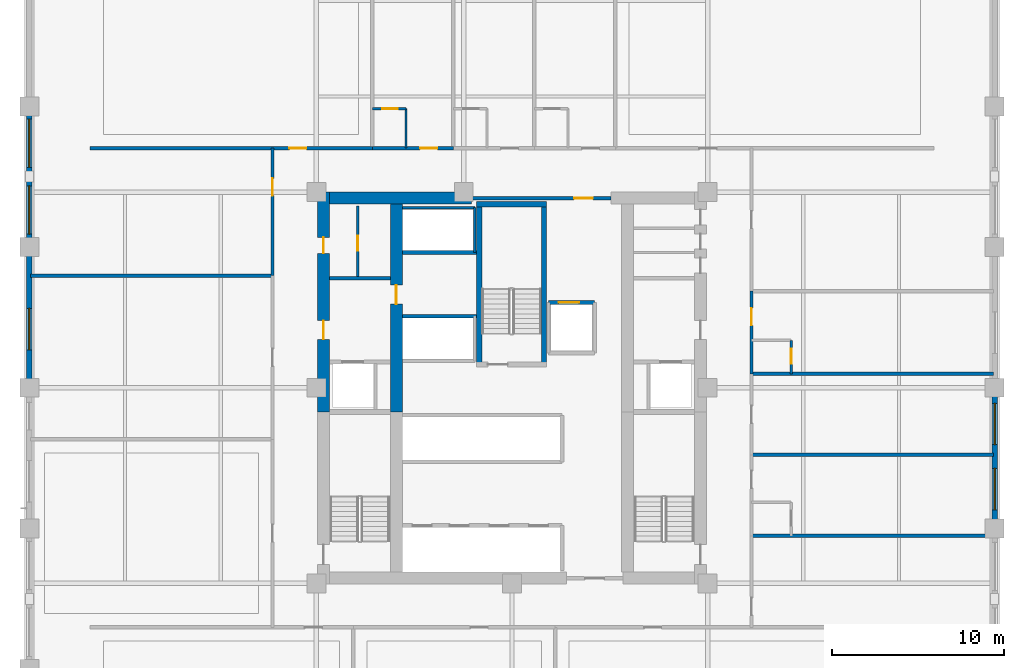
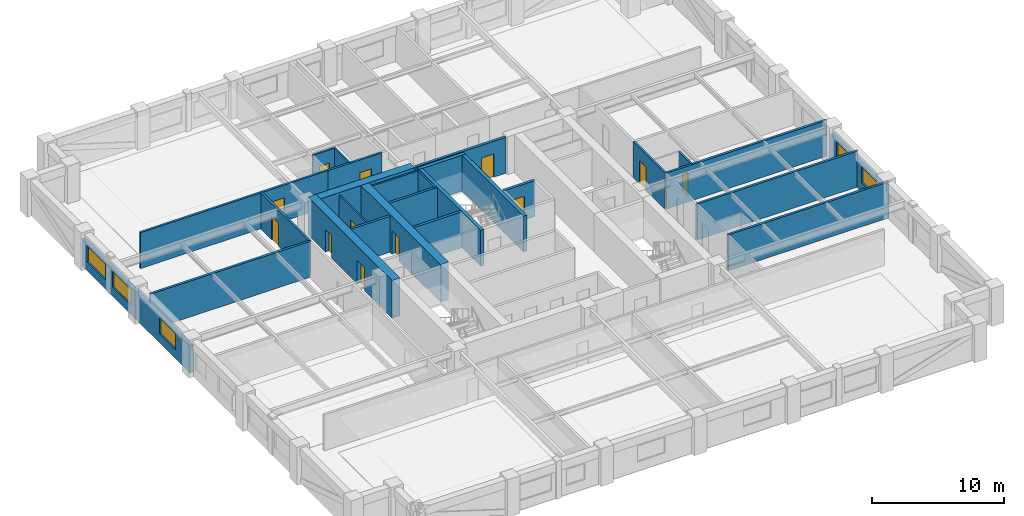
# One storey, part 5 of 12: 28 walls, 12 doors, 5 windows, 17 openings.
"""IFC4 building model written with IfcOpenShell, lengths in metres."""

from ifc_helpers import new_model, si_unit, direction, frame, frame_2d, origin, place, context, subcontext, project, spatial, rectangle, extrude, material, layer, layer_set, type_object, element, fill, save


model = new_model("IFC4")

# Units and contexts
model_context = context("Model", 3, precision=1e-05, world=origin(), true_north=direction((0.0, 1.0)))
body_context = subcontext(model_context, "Body", "Model", "MODEL_VIEW")
ifc_project = project(units=[si_unit("LENGTHUNIT", "METRE"), si_unit("AREAUNIT", "SQUARE_METRE"), si_unit("VOLUMEUNIT", "CUBIC_METRE"), si_unit("PLANEANGLEUNIT", "RADIAN"), si_unit("MASSUNIT", "GRAM", prefix="KILO")], contexts=[model_context])

# Site, building, storey
site_placement = place(None, origin())
site = spatial("IfcSite", under=ifc_project, at=site_placement, CompositionType="ELEMENT")
building_placement = place(site_placement, origin())
building = spatial("IfcBuilding", under=site, at=building_placement, Name="Nhamokura Convention Tower", CompositionType="ELEMENT")
storey_placement = place(building_placement, frame((0.0, 0.0, 49.35009765625)))
storey = spatial("IfcBuildingStorey", under=building, at=storey_placement, Name="L10", CompositionType="ELEMENT", Elevation=49.35009765625)

# Wall, opening, door
ifc_material_1 = material(Name="Moisture-resistant tile-backer partition", Category="masonry")
ifc_layer_1 = layer(ifc_material_1, 0.139892578125)
ifc_layer_set_1 = layer_set([ifc_layer_1], Name="BathroomWetWall_140")
wall_type_1 = type_object("IfcWallType", Name="BathroomWetWall_140", PredefinedType="STANDARD", material=ifc_layer_set_1)
wall_1_placement = place(storey_placement, frame((23.050048828125, 38.449951171875, 0.0), z_axis=(0.0, 0.0, 1.0), x_axis=(0.0, 1.0, 0.0)))
wall_1 = element("IfcWall", 1, at=wall_1_placement, inside=storey, type_object=wall_type_1, Name="L10 Wall INT-L10-CWNWV", PredefinedType="STANDARD", context=body_context, shape_type="SweptSolid", body=[
    extrude(rectangle(XDim=4.10009765625, YDim=0.139892578125, at=frame_2d((2.050048828125, 0.0))), origin(), (0.0, 0.0, 1.0), 3.31982421875),
])
opening_1_placement = place(wall_1_placement, frame((1.5, 0.0, 0.0)))
opening_1 = element("IfcOpeningElement", 2, at=opening_1_placement, cuts=wall_1, Name="Opening D-11", PredefinedType="OPENING", context=body_context, shape_type="SweptSolid", body=[
    extrude(rectangle(XDim=0.8798828125, YDim=2.10009765625, at=frame_2d((0.43994140625, 1.050048828125))), frame((0.0, 0.079833984375, 0.0), z_axis=(0.0, -1.0, 0.0), x_axis=(1.0, 0.0, 0.0)), (0.0, 0.0, 1.0), 0.159912109375),
])
ifc_material_2 = material(Name="Solid oak hardwood", Category="wood")
door_type_1 = type_object("IfcDoorType", Name="BathroomDoor_880", OperationType="NOTDEFINED", PredefinedType="DOOR", material=ifc_material_2)
door_1_placement = place(opening_1_placement, origin())
door_1 = element("IfcDoor", 3, at=door_1_placement, inside=storey, type_object=door_type_1, Name="L10 Inner Store Door", OperationType="SINGLE_SWING_LEFT", OverallHeight=2.10009765625, OverallWidth=0.8798828125, PredefinedType="DOOR", context=body_context, shape_type="SweptSolid", body=[
    extrude(rectangle(XDim=0.8798828125, YDim=2.10009765625, at=frame_2d((0.43994140625, 1.050048828125))), frame((0.0, 0.02490234375, 0.0), z_axis=(0.0, -1.0, 0.0), x_axis=(1.0, 0.0, 0.0)), (0.0, 0.0, 1.0), 0.050048828125),
])
fill(opening_1, door_1)

# Wall
wall_2_placement = place(storey_placement, frame((25.85009765625, 45.89990234375, 0.0), z_axis=(0.0, 0.0, 1.0), x_axis=(0.0, 1.0, 0.0)))
element("IfcWall", 4, at=wall_2_placement, inside=storey, type_object=wall_type_1, Name="L10 Wall INT-L10-BW-N01E", PredefinedType="STANDARD", context=body_context, shape_type="SweptSolid", body=[
    extrude(rectangle(XDim=2.300048828125, YDim=0.139892578125, at=frame_2d((1.14990234375, 0.0))), origin(), (0.0, 0.0, 1.0), 3.31982421875),
])

# Wall, opening, door
wall_3_placement = place(storey_placement, frame((23.89990234375, 48.199951171875, 0.0), z_axis=(0.0, 0.0, 1.0), x_axis=(1.0, 0.0, 0.0)))
wall_3 = element("IfcWall", 5, at=wall_3_placement, inside=storey, type_object=wall_type_1, Name="L10 Wall INT-L10-BW-N01N", PredefinedType="STANDARD", context=body_context, shape_type="SweptSolid", body=[
    extrude(rectangle(XDim=1.9501953125, YDim=0.139892578125, at=frame_2d((0.97509765625, 0.0))), origin(), (0.0, 0.0, 1.0), 3.31982421875),
])
opening_2_placement = place(wall_3_placement, frame((0.580078125, 0.0, 0.0)))
opening_2 = element("IfcOpeningElement", 6, at=opening_2_placement, cuts=wall_3, Name="Opening D-11", PredefinedType="OPENING", context=body_context, shape_type="SweptSolid", body=[
    extrude(rectangle(XDim=0.8798828125, YDim=2.10009765625, at=frame_2d((0.43994140625, 1.050048828125))), frame((0.0, 0.079833984375, 0.0), z_axis=(0.0, -1.0, 0.0), x_axis=(1.0, 0.0, 0.0)), (0.0, 0.0, 1.0), 0.159912109375),
])
door_2_placement = place(opening_2_placement, origin())
door_2 = element("IfcDoor", 7, at=door_2_placement, inside=storey, type_object=door_type_1, Name="L10 Guest Room En-suite Door", OperationType="SINGLE_SWING_RIGHT", OverallHeight=2.10009765625, OverallWidth=0.8798828125, PredefinedType="DOOR", context=body_context, shape_type="SweptSolid", body=[
    extrude(rectangle(XDim=0.8798828125, YDim=2.10009765625, at=frame_2d((0.43994140625, 1.050048828125))), frame((0.0, 0.02490234375, 0.0), z_axis=(0.0, -1.0, 0.0), x_axis=(1.0, 0.0, 0.0)), (0.0, 0.0, 1.0), 0.050048828125),
])
fill(opening_2, door_2)

wall_4_placement = place(storey_placement, frame((48.199951171875, 32.800048828125, 0.0), z_axis=(0.0, 0.0, 1.0), x_axis=(0.0, 1.0, 0.0)))
wall_4 = element("IfcWall", 8, at=wall_4_placement, inside=storey, type_object=wall_type_1, Name="L10 Wall INT-L10-BW-E03E", PredefinedType="STANDARD", context=body_context, shape_type="SweptSolid", body=[
    extrude(rectangle(XDim=1.949951171875, YDim=0.139892578125, at=frame_2d((0.97509765625, 0.0))), origin(), (0.0, 0.0, 1.0), 3.31982421875),
])
opening_3_placement = place(wall_4_placement, frame((0.580078125, 0.0, 0.0)))
opening_3 = element("IfcOpeningElement", 9, at=opening_3_placement, cuts=wall_4, Name="Opening D-11", PredefinedType="OPENING", context=body_context, shape_type="SweptSolid", body=[
    extrude(rectangle(XDim=0.8798828125, YDim=2.10009765625, at=frame_2d((0.43994140625, 1.050048828125))), frame((0.0, 0.079833984375, 0.0), z_axis=(0.0, -1.0, 0.0), x_axis=(1.0, 0.0, 0.0)), (0.0, 0.0, 1.0), 0.159912109375),
])
door_3_placement = place(opening_3_placement, origin())
door_3 = element("IfcDoor", 10, at=door_3_placement, inside=storey, type_object=door_type_1, Name="L10 Guest Room En-suite Door", OperationType="SINGLE_SWING_LEFT", OverallHeight=2.10009765625, OverallWidth=0.8798828125, PredefinedType="DOOR", context=body_context, shape_type="SweptSolid", body=[
    extrude(rectangle(XDim=0.8798828125, YDim=2.10009765625, at=frame_2d((0.43994140625, 1.050048828125))), frame((0.0, 0.02490234375, 0.0), z_axis=(0.0, -1.0, 0.0), x_axis=(1.0, 0.0, 0.0)), (0.0, 0.0, 1.0), 0.050048828125),
])
fill(opening_3, door_3)

# Wall, opening, window
ifc_material_3 = material(Name="Bronze-pigmented precast concrete C45/55", Category="concrete")
ifc_layer_2 = layer(ifc_material_3, 0.320068359375)
ifc_layer_set_2 = layer_set([ifc_layer_2], Name="BronzePrecastSpandrel_320")
wall_type_2 = type_object("IfcWallType", Name="BronzePrecastSpandrel_320", PredefinedType="USERDEFINED", material=ifc_layer_set_2)
wall_5_placement = place(storey_placement, frame((4.0, 32.0, 0.0), z_axis=(0.0, 0.0, 1.0), x_axis=(0.0, 1.0, 0.0)))
wall_5 = element("IfcWall", 11, at=wall_5_placement, inside=storey, type_object=wall_type_2, Name="L10 Masonry-Frame Wall WEST 3", ObjectType="SPANDREL_WALL", PredefinedType="USERDEFINED", context=body_context, shape_type="SweptSolid", body=[
    extrude(rectangle(XDim=8.166748046875, YDim=0.320068359375, at=frame_2d((4.08349609375, 0.0))), origin(), (0.0, 0.0, 1.0), 2.52001953125),
])
opening_4_placement = place(wall_5_placement, frame((2.199951171875, 0.0, 0.85009765625)))
opening_4 = element("IfcOpeningElement", 12, at=opening_4_placement, cuts=wall_5, Name="Opening W-03", PredefinedType="OPENING", context=body_context, shape_type="SweptSolid", body=[
    extrude(rectangle(XDim=2.39990234375, YDim=1.469970703125, at=frame_2d((1.199951171875, 0.73486328125))), frame((0.0, 0.169921875, 0.0), z_axis=(0.0, -1.0, 0.0), x_axis=(1.0, 0.0, 0.0)), (0.0, 0.0, 1.0), 0.340087890625),
])
ifc_material_4 = material(Name="Solar-control bronze low-E double glass", Category="glass")
window_type_1 = type_object("IfcWindowType", Name="HotelBayWindow_2400", PartitioningType="DOUBLE_PANEL_VERTICAL", PredefinedType="WINDOW", material=ifc_material_4)
window_1_placement = place(opening_4_placement, origin())
window_1 = element("IfcWindow", 13, at=window_1_placement, inside=storey, type_object=window_type_1, Name="L10 Facade Window WEST 3-1", OverallHeight=1.469970703125, OverallWidth=2.39990234375, PartitioningType="SINGLE_PANEL", PredefinedType="WINDOW", context=body_context, shape_type="SweptSolid", body=[
    extrude(rectangle(XDim=2.39990234375, YDim=1.469970703125, at=frame_2d((1.199951171875, 0.73486328125))), frame((0.0, 0.030029296875, 0.0), z_axis=(0.0, -1.0, 0.0), x_axis=(1.0, 0.0, 0.0)), (0.0, 0.0, 1.0), 0.06005859375),
])
fill(opening_4, window_1)

# Wall, openings, windows
wall_6_placement = place(storey_placement, frame((4.0, 40.166748046875, 0.0), z_axis=(0.0, 0.0, 1.0), x_axis=(0.0, 1.0, 0.0)))
wall_6 = element("IfcWall", 14, at=wall_6_placement, inside=storey, type_object=wall_type_2, Name="L10 Masonry-Frame Wall WEST 4", ObjectType="SPANDREL_WALL", PredefinedType="USERDEFINED", context=body_context, shape_type="SweptSolid", body=[
    extrude(rectangle(XDim=8.16650390625, YDim=0.320068359375, at=frame_2d((4.083251953125, 0.0))), origin(), (0.0, 0.0, 1.0), 2.52001953125),
])
opening_5_placement = place(wall_6_placement, frame((0.74169921875, 0.0, 0.85009765625)))
opening_5 = element("IfcOpeningElement", 15, at=opening_5_placement, cuts=wall_6, Name="Opening W-04", PredefinedType="OPENING", context=body_context, shape_type="SweptSolid", body=[
    extrude(rectangle(XDim=2.800048828125, YDim=1.469970703125, at=frame_2d((1.39990234375, 0.73486328125))), frame((0.0, 0.169921875, 0.0), z_axis=(0.0, -1.0, 0.0), x_axis=(1.0, 0.0, 0.0)), (0.0, 0.0, 1.0), 0.340087890625),
])
opening_6_placement = place(wall_6_placement, frame((4.625, 0.0, 0.85009765625)))
opening_6 = element("IfcOpeningElement", 16, at=opening_6_placement, cuts=wall_6, Name="Opening W-04", PredefinedType="OPENING", context=body_context, shape_type="SweptSolid", body=[
    extrude(rectangle(XDim=2.800048828125, YDim=1.469970703125, at=frame_2d((1.39990234375, 0.73486328125))), frame((0.0, 0.169921875, 0.0), z_axis=(0.0, -1.0, 0.0), x_axis=(1.0, 0.0, 0.0)), (0.0, 0.0, 1.0), 0.340087890625),
])
ifc_material_5 = material(Name="Solar-control bronze low-E double glass", Category="glass")
window_type_2 = type_object("IfcWindowType", Name="HotelSuiteWindow_2800", PartitioningType="DOUBLE_PANEL_VERTICAL", PredefinedType="WINDOW", material=ifc_material_5)
window_2_placement = place(opening_5_placement, origin())
window_2 = element("IfcWindow", 17, at=window_2_placement, inside=storey, type_object=window_type_2, Name="L10 Facade Window WEST 4-1", OverallHeight=1.469970703125, OverallWidth=2.800048828125, PartitioningType="SINGLE_PANEL", PredefinedType="WINDOW", context=body_context, shape_type="SweptSolid", body=[
    extrude(rectangle(XDim=2.800048828125, YDim=1.469970703125, at=frame_2d((1.39990234375, 0.73486328125))), frame((0.0, 0.030029296875, 0.0), z_axis=(0.0, -1.0, 0.0), x_axis=(1.0, 0.0, 0.0)), (0.0, 0.0, 1.0), 0.06005859375),
])
fill(opening_5, window_2)
window_3_placement = place(opening_6_placement, origin())
window_3 = element("IfcWindow", 18, at=window_3_placement, inside=storey, type_object=window_type_2, Name="L10 Facade Window WEST 4-2", OverallHeight=1.469970703125, OverallWidth=2.800048828125, PartitioningType="SINGLE_PANEL", PredefinedType="WINDOW", context=body_context, shape_type="SweptSolid", body=[
    extrude(rectangle(XDim=2.800048828125, YDim=1.469970703125, at=frame_2d((1.39990234375, 0.73486328125))), frame((0.0, 0.030029296875, 0.0), z_axis=(0.0, -1.0, 0.0), x_axis=(1.0, 0.0, 0.0)), (0.0, 0.0, 1.0), 0.06005859375),
])
fill(opening_6, window_3)

wall_7_placement = place(storey_placement, frame((60.0, 32.0, 0.0), z_axis=(0.0, 0.0, 1.0), x_axis=(0.0, -1.0, 0.0)))
wall_7 = element("IfcWall", 19, at=wall_7_placement, inside=storey, type_object=wall_type_2, Name="L10 Masonry-Frame Wall EAST 2", ObjectType="SPANDREL_WALL", PredefinedType="USERDEFINED", context=body_context, shape_type="SweptSolid", body=[
    extrude(rectangle(XDim=8.166748046875, YDim=0.320068359375, at=frame_2d((4.08349609375, 0.0))), origin(), (0.0, 0.0, 1.0), 2.52001953125),
])
opening_7_placement = place(wall_7_placement, frame((0.89990234375, 0.0, 0.85009765625)))
opening_7 = element("IfcOpeningElement", 20, at=opening_7_placement, cuts=wall_7, Name="Opening W-03", PredefinedType="OPENING", context=body_context, shape_type="SweptSolid", body=[
    extrude(rectangle(XDim=2.39990234375, YDim=1.469970703125, at=frame_2d((1.199951171875, 0.73486328125))), frame((0.0, 0.169921875, 0.0), z_axis=(0.0, -1.0, 0.0), x_axis=(1.0, 0.0, 0.0)), (0.0, 0.0, 1.0), 0.340087890625),
])
opening_8_placement = place(wall_7_placement, frame((4.683349609375, 0.0, 0.85009765625)))
opening_8 = element("IfcOpeningElement", 21, at=opening_8_placement, cuts=wall_7, Name="Opening W-03", PredefinedType="OPENING", context=body_context, shape_type="SweptSolid", body=[
    extrude(rectangle(XDim=2.39990234375, YDim=1.469970703125, at=frame_2d((1.199951171875, 0.73486328125))), frame((0.0, 0.169921875, 0.0), z_axis=(0.0, -1.0, 0.0), x_axis=(1.0, 0.0, 0.0)), (0.0, 0.0, 1.0), 0.340087890625),
])
window_4_placement = place(opening_7_placement, origin())
window_4 = element("IfcWindow", 22, at=window_4_placement, inside=storey, type_object=window_type_1, Name="L10 Facade Window EAST 2-1", OverallHeight=1.469970703125, OverallWidth=2.39990234375, PartitioningType="SINGLE_PANEL", PredefinedType="WINDOW", context=body_context, shape_type="SweptSolid", body=[
    extrude(rectangle(XDim=2.39990234375, YDim=1.469970703125, at=frame_2d((1.199951171875, 0.73486328125))), frame((0.0, 0.030029296875, 0.0), z_axis=(0.0, -1.0, 0.0), x_axis=(1.0, 0.0, 0.0)), (0.0, 0.0, 1.0), 0.06005859375),
])
fill(opening_7, window_4)
window_5_placement = place(opening_8_placement, origin())
window_5 = element("IfcWindow", 23, at=window_5_placement, inside=storey, type_object=window_type_1, Name="L10 Facade Window EAST 2-2", OverallHeight=1.469970703125, OverallWidth=2.39990234375, PartitioningType="SINGLE_PANEL", PredefinedType="WINDOW", context=body_context, shape_type="SweptSolid", body=[
    extrude(rectangle(XDim=2.39990234375, YDim=1.469970703125, at=frame_2d((1.199951171875, 0.73486328125))), frame((0.0, 0.030029296875, 0.0), z_axis=(0.0, -1.0, 0.0), x_axis=(1.0, 0.0, 0.0)), (0.0, 0.0, 1.0), 0.06005859375),
])
fill(opening_8, window_5)

# Wall, openings, doors
ifc_material_6 = material(Name="Concrete C70/85", Category="concrete")
ifc_layer_3 = layer(ifc_material_6, 0.699951171875)
ifc_layer_set_3 = layer_set([ifc_layer_3], Name="CoreShearWall_700")
wall_type_3 = type_object("IfcWallType", Name="CoreShearWall_700", PredefinedType="SHEAR", material=ifc_layer_set_3)
wall_8_placement = place(storey_placement, frame((21.06005859375, 30.60009765625, 0.0), z_axis=(0.0, 0.0, 1.0), x_axis=(0.0, 1.0, 0.0)))
wall_8 = element("IfcWall", 24, at=wall_8_placement, inside=storey, type_object=wall_type_3, Name="L10 Core Shear Wall CW-WN", PredefinedType="SHEAR", context=body_context, shape_type="SweptSolid", body=[
    extrude(rectangle(XDim=12.75, YDim=0.699951171875, at=frame_2d((6.375, 0.0))), origin(), (0.0, 0.0, 1.0), 3.5),
])
opening_9_placement = place(wall_8_placement, frame((4.199951171875, 0.0, 0.0)))
opening_9 = element("IfcOpeningElement", 25, at=opening_9_placement, cuts=wall_8, Name="Opening D-05", PredefinedType="OPENING", context=body_context, shape_type="SweptSolid", body=[
    extrude(rectangle(XDim=1.10009765625, YDim=2.14990234375, at=frame_2d((0.550048828125, 1.074951171875))), frame((0.0, 0.35986328125, 0.0), z_axis=(0.0, -1.0, 0.0), x_axis=(1.0, 0.0, 0.0)), (0.0, 0.0, 1.0), 0.719970703125),
])
opening_10_placement = place(wall_8_placement, frame((9.199951171875, 0.0, 0.0)))
opening_10 = element("IfcOpeningElement", 26, at=opening_10_placement, cuts=wall_8, Name="Opening D-10", PredefinedType="OPENING", context=body_context, shape_type="SweptSolid", body=[
    extrude(rectangle(XDim=0.919921875, YDim=2.10009765625, at=frame_2d((0.4599609375, 1.050048828125))), frame((0.0, 0.35986328125, 0.0), z_axis=(0.0, -1.0, 0.0), x_axis=(1.0, 0.0, 0.0)), (0.0, 0.0, 1.0), 0.719970703125),
])
ifc_material_7 = material(Name="Solid oak hardwood", Category="wood")
door_type_2 = type_object("IfcDoorType", Name="AccessibleWCDoor_920", OperationType="NOTDEFINED", PredefinedType="DOOR", material=ifc_material_7)
door_4_placement = place(opening_10_placement, origin())
door_4 = element("IfcDoor", 27, at=door_4_placement, inside=storey, type_object=door_type_2, Name="L10 Core Door INT-L10-D-AWCW", OperationType="SINGLE_SWING_RIGHT", OverallHeight=2.10009765625, OverallWidth=0.919921875, PredefinedType="DOOR", context=body_context, shape_type="SweptSolid", body=[
    extrude(rectangle(XDim=0.919921875, YDim=2.10009765625, at=frame_2d((0.4599609375, 1.050048828125))), frame((0.0, 0.02490234375, 0.0), z_axis=(0.0, -1.0, 0.0), x_axis=(1.0, 0.0, 0.0)), (0.0, 0.0, 1.0), 0.050048828125),
])
fill(opening_10, door_4)
ifc_material_8 = material(Name="Fire-rated steel door", Category="steel")
door_type_3 = type_object("IfcDoorType", Name="FireLobbyDoor_1100", OperationType="NOTDEFINED", PredefinedType="DOOR", material=ifc_material_8)
door_5_placement = place(opening_9_placement, origin())
door_5 = element("IfcDoor", 28, at=door_5_placement, inside=storey, type_object=door_type_3, Name="L10 Core Door INT-L10-D-FFLW", OperationType="SINGLE_SWING_RIGHT", OverallHeight=2.14990234375, OverallWidth=1.10009765625, PredefinedType="DOOR", context=body_context, shape_type="SweptSolid", body=[
    extrude(rectangle(XDim=1.10009765625, YDim=2.14990234375, at=frame_2d((0.550048828125, 1.074951171875))), frame((0.0, 0.02490234375, 0.0), z_axis=(0.0, -1.0, 0.0), x_axis=(1.0, 0.0, 0.0)), (0.0, 0.0, 1.0), 0.050048828125),
])
fill(opening_9, door_5)

# Wall
wall_9_placement = place(storey_placement, frame((21.409912109375, 43.0, 0.0), z_axis=(0.0, 0.0, 1.0), x_axis=(1.0, 0.0, 0.0)))
element("IfcWall", 29, at=wall_9_placement, inside=storey, type_object=wall_type_3, Name="L10 Core Shear Wall CW-N1", PredefinedType="SHEAR", context=body_context, shape_type="SweptSolid", body=[
    extrude(rectangle(XDim=8.239990234375, YDim=0.699951171875, at=frame_2d((4.1201171875, 0.0))), origin(), (0.0, 0.0, 1.0), 3.5),
])

# Wall, opening, door
wall_10_placement = place(storey_placement, frame((25.2900390625, 30.60009765625, 0.0), z_axis=(0.0, 0.0, 1.0), x_axis=(0.0, 1.0, 0.0)))
wall_10 = element("IfcWall", 30, at=wall_10_placement, inside=storey, type_object=wall_type_3, Name="L10 Core Shear Wall CW-IWN", PredefinedType="SHEAR", context=body_context, shape_type="SweptSolid", body=[
    extrude(rectangle(XDim=12.0498046875, YDim=0.699951171875, at=frame_2d((6.02490234375, 0.0))), origin(), (0.0, 0.0, 1.0), 3.5),
])
opening_11_placement = place(wall_10_placement, frame((6.25, 0.0, 0.0)))
opening_11 = element("IfcOpeningElement", 31, at=opening_11_placement, cuts=wall_10, Name="Opening D-05", PredefinedType="OPENING", context=body_context, shape_type="SweptSolid", body=[
    extrude(rectangle(XDim=1.10009765625, YDim=2.14990234375, at=frame_2d((0.550048828125, 1.074951171875))), frame((0.0, 0.35986328125, 0.0), z_axis=(0.0, -1.0, 0.0), x_axis=(1.0, 0.0, 0.0)), (0.0, 0.0, 1.0), 0.719970703125),
])
door_6_placement = place(opening_11_placement, origin())
door_6 = element("IfcDoor", 32, at=door_6_placement, inside=storey, type_object=door_type_3, Name="L10 Core Door INT-L10-D-B3LOB", OperationType="SINGLE_SWING_LEFT", OverallHeight=2.14990234375, OverallWidth=1.10009765625, PredefinedType="DOOR", context=body_context, shape_type="SweptSolid", body=[
    extrude(rectangle(XDim=1.10009765625, YDim=2.14990234375, at=frame_2d((0.550048828125, 1.074951171875))), frame((0.0, 0.02490234375, 0.0), z_axis=(0.0, -1.0, 0.0), x_axis=(1.0, 0.0, 0.0)), (0.0, 0.0, 1.0), 0.050048828125),
])
fill(opening_11, door_6)

ifc_material_9 = material(Name="Fire-rated gypsum and masonry partition", Category="masonry")
ifc_layer_4 = layer(ifc_material_9, 0.179931640625)
ifc_layer_set_4 = layer_set([ifc_layer_4], Name="CorridorRatedWall_180")
wall_type_4 = type_object("IfcWallType", Name="CorridorRatedWall_180", PredefinedType="STANDARD", material=ifc_layer_set_4)
wall_11_placement = place(storey_placement, frame((7.5, 45.89990234375, 0.0), z_axis=(0.0, 0.0, 1.0), x_axis=(1.0, 0.0, 0.0)))
wall_11 = element("IfcWall", 33, at=wall_11_placement, inside=storey, type_object=wall_type_4, Name="L10 Wall INT-L10-CW-N00", PredefinedType="STANDARD", context=body_context, shape_type="SweptSolid", body=[
    extrude(rectangle(XDim=16.39990234375, YDim=0.179931640625, at=frame_2d((8.199951171875, 0.0))), origin(), (0.0, 0.0, 1.0), 3.31982421875),
])
opening_12_placement = place(wall_11_placement, frame((11.574951171875, 0.0, 0.0)))
opening_12 = element("IfcOpeningElement", 34, at=opening_12_placement, cuts=wall_11, Name="Opening D-07", PredefinedType="OPENING", context=body_context, shape_type="SweptSolid", body=[
    extrude(rectangle(XDim=1.0, YDim=2.14990234375, at=frame_2d((0.5, 1.074951171875))), frame((0.0, 0.099853515625, 0.0), z_axis=(0.0, -1.0, 0.0), x_axis=(1.0, 0.0, 0.0)), (0.0, 0.0, 1.0), 0.199951171875),
])
ifc_material_10 = material(Name="Solid oak hardwood", Category="wood")
door_type_4 = type_object("IfcDoorType", Name="HotelSuiteEntryDoor_1000", OperationType="NOTDEFINED", PredefinedType="DOOR", material=ifc_material_10)
door_7_placement = place(opening_12_placement, origin())
door_7 = element("IfcDoor", 35, at=door_7_placement, inside=storey, type_object=door_type_4, Name="L10 Conference Salon N01 Door", OperationType="SINGLE_SWING_LEFT", OverallHeight=2.14990234375, OverallWidth=1.0, PredefinedType="DOOR", context=body_context, shape_type="SweptSolid", body=[
    extrude(rectangle(XDim=1.0, YDim=2.14990234375, at=frame_2d((0.5, 1.074951171875))), frame((0.0, 0.02490234375, 0.0), z_axis=(0.0, -1.0, 0.0), x_axis=(1.0, 0.0, 0.0)), (0.0, 0.0, 1.0), 0.050048828125),
])
fill(opening_12, door_7)

wall_12_placement = place(storey_placement, frame((23.89990234375, 45.89990234375, 0.0), z_axis=(0.0, 0.0, 1.0), x_axis=(1.0, 0.0, 0.0)))
wall_12 = element("IfcWall", 36, at=wall_12_placement, inside=storey, type_object=wall_type_4, Name="L10 Wall INT-L10-CW-N01", PredefinedType="STANDARD", context=body_context, shape_type="SweptSolid", body=[
    extrude(rectangle(XDim=4.7001953125, YDim=0.179931640625, at=frame_2d((2.35009765625, 0.0))), origin(), (0.0, 0.0, 1.0), 3.31982421875),
])
opening_13_placement = place(wall_12_placement, frame((2.77490234375, 0.0, 0.0)))
opening_13 = element("IfcOpeningElement", 37, at=opening_13_placement, cuts=wall_12, Name="Opening D-07", PredefinedType="OPENING", context=body_context, shape_type="SweptSolid", body=[
    extrude(rectangle(XDim=1.0, YDim=2.14990234375, at=frame_2d((0.5, 1.074951171875))), frame((0.0, 0.099853515625, 0.0), z_axis=(0.0, -1.0, 0.0), x_axis=(1.0, 0.0, 0.0)), (0.0, 0.0, 1.0), 0.199951171875),
])
door_8_placement = place(opening_13_placement, origin())
door_8 = element("IfcDoor", 38, at=door_8_placement, inside=storey, type_object=door_type_4, Name="L10 Guest Room N02 Door", OperationType="SINGLE_SWING_RIGHT", OverallHeight=2.14990234375, OverallWidth=1.0, PredefinedType="DOOR", context=body_context, shape_type="SweptSolid", body=[
    extrude(rectangle(XDim=1.0, YDim=2.14990234375, at=frame_2d((0.5, 1.074951171875))), frame((0.0, 0.02490234375, 0.0), z_axis=(0.0, -1.0, 0.0), x_axis=(1.0, 0.0, 0.0)), (0.0, 0.0, 1.0), 0.050048828125),
])
fill(opening_13, door_8)

wall_13_placement = place(storey_placement, frame((18.10009765625, 38.5, 0.0), z_axis=(0.0, 0.0, 1.0), x_axis=(0.0, 1.0, 0.0)))
wall_13 = element("IfcWall", 39, at=wall_13_placement, inside=storey, type_object=wall_type_4, Name="L10 Wall INT-L10-CW-W02", PredefinedType="STANDARD", context=body_context, shape_type="SweptSolid", body=[
    extrude(rectangle(XDim=7.39990234375, YDim=0.179931640625, at=frame_2d((3.699951171875, 0.0))), origin(), (0.0, 0.0, 1.0), 3.31982421875),
])
opening_14_placement = place(wall_13_placement, frame((4.64990234375, 0.0, 0.0)))
opening_14 = element("IfcOpeningElement", 40, at=opening_14_placement, cuts=wall_13, Name="Opening D-07", PredefinedType="OPENING", context=body_context, shape_type="SweptSolid", body=[
    extrude(rectangle(XDim=1.0, YDim=2.14990234375, at=frame_2d((0.5, 1.074951171875))), frame((0.0, 0.099853515625, 0.0), z_axis=(0.0, -1.0, 0.0), x_axis=(1.0, 0.0, 0.0)), (0.0, 0.0, 1.0), 0.199951171875),
])
door_9_placement = place(opening_14_placement, origin())
door_9 = element("IfcDoor", 41, at=door_9_placement, inside=storey, type_object=door_type_4, Name="L10 Reading Lounge W03 Door", OperationType="SINGLE_SWING_LEFT", OverallHeight=2.14990234375, OverallWidth=1.0, PredefinedType="DOOR", context=body_context, shape_type="SweptSolid", body=[
    extrude(rectangle(XDim=1.0, YDim=2.14990234375, at=frame_2d((0.5, 1.074951171875))), frame((0.0, 0.02490234375, 0.0), z_axis=(0.0, -1.0, 0.0), x_axis=(1.0, 0.0, 0.0)), (0.0, 0.0, 1.0), 0.050048828125),
])
fill(opening_14, door_9)

wall_14_placement = place(storey_placement, frame((45.89990234375, 32.800048828125, 0.0), z_axis=(0.0, 0.0, 1.0), x_axis=(0.0, 1.0, 0.0)))
wall_14 = element("IfcWall", 42, at=wall_14_placement, inside=storey, type_object=wall_type_4, Name="L10 Wall INT-L10-CW-E03", PredefinedType="STANDARD", context=body_context, shape_type="SweptSolid", body=[
    extrude(rectangle(XDim=4.800048828125, YDim=0.179931640625, at=frame_2d((2.39990234375, 0.0))), origin(), (0.0, 0.0, 1.0), 3.31982421875),
])
opening_15_placement = place(wall_14_placement, frame((2.824951171875, 0.0, 0.0)))
opening_15 = element("IfcOpeningElement", 43, at=opening_15_placement, cuts=wall_14, Name="Opening D-07", PredefinedType="OPENING", context=body_context, shape_type="SweptSolid", body=[
    extrude(rectangle(XDim=1.0, YDim=2.14990234375, at=frame_2d((0.5, 1.074951171875))), frame((0.0, 0.099853515625, 0.0), z_axis=(0.0, -1.0, 0.0), x_axis=(1.0, 0.0, 0.0)), (0.0, 0.0, 1.0), 0.199951171875),
])
door_10_placement = place(opening_15_placement, origin())
door_10 = element("IfcDoor", 44, at=door_10_placement, inside=storey, type_object=door_type_4, Name="L10 Guest Room E04 Door", OperationType="SINGLE_SWING_RIGHT", OverallHeight=2.14990234375, OverallWidth=1.0, PredefinedType="DOOR", context=body_context, shape_type="SweptSolid", body=[
    extrude(rectangle(XDim=1.0, YDim=2.14990234375, at=frame_2d((0.5, 1.074951171875))), frame((0.0, 0.02490234375, 0.0), z_axis=(0.0, -1.0, 0.0), x_axis=(1.0, 0.0, 0.0)), (0.0, 0.0, 1.0), 0.050048828125),
])
fill(opening_15, door_10)

# Walls
ifc_material_11 = material(Name="Autoclaved concrete blockwork", Category="masonry")
ifc_layer_5 = layer(ifc_material_11, 0.219970703125)
ifc_layer_set_5 = layer_set([ifc_layer_5], Name="FireLobbyWall_220")
wall_type_5 = type_object("IfcWallType", Name="FireLobbyWall_220", PredefinedType="STANDARD", material=ifc_layer_set_5)
wall_15_placement = place(storey_placement, frame((21.409912109375, 38.35009765625, 0.0), z_axis=(0.0, 0.0, 1.0), x_axis=(1.0, 0.0, 0.0)))
element("IfcWall", 45, at=wall_15_placement, inside=storey, type_object=wall_type_5, Name="L10 Wall INT-L10-FFW-N", PredefinedType="STANDARD", context=body_context, shape_type="SweptSolid", body=[
    extrude(rectangle(XDim=3.530029296875, YDim=0.219970703125, at=frame_2d((1.76513671875, 0.0))), origin(), (0.0, 0.0, 1.0), 3.31982421875),
])
for number, where, z_axis, x_axis, name in (
    (46, (25.64990234375, 36.14990234375, 0.0), (0.0, 0.0, 1.0), (1.0, 0.0, 0.0), "L10 Wall INT-L10-B3S"),
    (47, (25.64990234375, 39.85009765625, 0.0), (0.0, 0.0, 1.0), (1.0, 0.0, 0.0), "L10 Wall INT-L10-B3N"),
):
    element("IfcWall", number, at=place(storey_placement, frame(where, z_axis=z_axis, x_axis=x_axis)), inside=storey, type_object=wall_type_5, Name=name, PredefinedType="STANDARD", context=body_context, shape_type="SweptSolid", body=[
        extrude(rectangle(XDim=4.300048828125, YDim=0.219970703125, at=frame_2d((2.14990234375, 0.0))), origin(), (0.0, 0.0, 1.0), 3.31982421875),
    ])

# Wall, opening, door
wall_16_placement = place(storey_placement, frame((29.64990234375, 43.0, 0.0), z_axis=(0.0, 0.0, 1.0), x_axis=(1.0, 0.0, 0.0)))
wall_16 = element("IfcWall", 48, at=wall_16_placement, inside=storey, type_object=wall_type_5, Name="L10 Wall INT-L10-CPORT-N", PredefinedType="STANDARD", context=body_context, shape_type="SweptSolid", body=[
    extrude(rectangle(XDim=8.10009765625, YDim=0.219970703125, at=frame_2d((4.050048828125, 0.0))), origin(), (0.0, 0.0, 1.0), 3.31982421875),
])
opening_16_placement = place(wall_16_placement, frame((5.949951171875, 0.0, 0.0)))
opening_16 = element("IfcOpeningElement", 49, at=opening_16_placement, cuts=wall_16, Name="Opening D-05", PredefinedType="OPENING", context=body_context, shape_type="SweptSolid", body=[
    extrude(rectangle(XDim=1.10009765625, YDim=2.14990234375, at=frame_2d((0.550048828125, 1.074951171875))), frame((0.0, 0.119873046875, 0.0), z_axis=(0.0, -1.0, 0.0), x_axis=(1.0, 0.0, 0.0)), (0.0, 0.0, 1.0), 0.239990234375),
])
door_11_placement = place(opening_16_placement, origin())
door_11 = element("IfcDoor", 50, at=door_11_placement, inside=storey, type_object=door_type_3, Name="L10 North Core Lobby Portal Door", OperationType="SINGLE_SWING_RIGHT", OverallHeight=2.14990234375, OverallWidth=1.10009765625, PredefinedType="DOOR", context=body_context, shape_type="SweptSolid", body=[
    extrude(rectangle(XDim=1.10009765625, YDim=2.14990234375, at=frame_2d((0.550048828125, 1.074951171875))), frame((0.0, 0.02490234375, 0.0), z_axis=(0.0, -1.0, 0.0), x_axis=(1.0, 0.0, 0.0)), (0.0, 0.0, 1.0), 0.050048828125),
])
fill(opening_16, door_11)

wall_17_placement = place(storey_placement, frame((34.1201171875, 36.949951171875, 0.0), z_axis=(0.0, 0.0, 1.0), x_axis=(1.0, 0.0, 0.0)))
wall_17 = element("IfcWall", 51, at=wall_17_placement, inside=storey, type_object=wall_type_5, Name="L10 Wall INT-L10-LSN", PredefinedType="STANDARD", context=body_context, shape_type="SweptSolid", body=[
    extrude(rectangle(XDim=2.679931640625, YDim=0.219970703125, at=frame_2d((1.33984375, 0.0))), origin(), (0.0, 0.0, 1.0), 3.31982421875),
])
opening_17_placement = place(wall_17_placement, frame((0.580078125, 0.0, 0.0)))
opening_17 = element("IfcOpeningElement", 52, at=opening_17_placement, cuts=wall_17, Name="Opening LD-02", PredefinedType="OPENING", context=body_context, shape_type="SweptSolid", body=[
    extrude(rectangle(XDim=1.199951171875, YDim=2.199951171875, at=frame_2d((0.60009765625, 1.10009765625))), frame((0.0, 0.119873046875, 0.0), z_axis=(0.0, -1.0, 0.0), x_axis=(1.0, 0.0, 0.0)), (0.0, 0.0, 1.0), 0.239990234375),
])
ifc_material_12 = material(Name="Anodised bronze stainless steel", Category="steel")
door_type_5 = type_object("IfcDoorType", Name="LiftLandingDoor_FireService", OperationType="DOUBLE_DOOR_SLIDING", PredefinedType="DOOR", material=ifc_material_12)
door_12_placement = place(opening_17_placement, origin())
door_12 = element("IfcDoor", 53, at=door_12_placement, inside=storey, type_object=door_type_5, Name="L10 Service Lift LS-01 Door", OperationType="DOUBLE_DOOR_SLIDING", OverallHeight=2.199951171875, OverallWidth=1.199951171875, PredefinedType="DOOR", context=body_context, shape_type="SweptSolid", body=[
    extrude(rectangle(XDim=1.199951171875, YDim=2.199951171875, at=frame_2d((0.60009765625, 1.10009765625))), frame((0.0, 0.02490234375, 0.0), z_axis=(0.0, -1.0, 0.0), x_axis=(1.0, 0.0, 0.0)), (0.0, 0.0, 1.0), 0.050048828125),
])
fill(opening_17, door_12)

# Walls
ifc_material_13 = material(Name="Acoustic twin-stud gypsum partition", Category="masonry")
ifc_layer_6 = layer(ifc_material_13, 0.199951171875)
ifc_layer_set_6 = layer_set([ifc_layer_6], Name="HotelDemisingWall_200")
wall_type_6 = type_object("IfcWallType", Name="HotelDemisingWall_200", PredefinedType="STANDARD", material=ifc_layer_set_6)
for number, where, z_axis, x_axis, name in (
    (54, (4.06005859375, 38.5, 0.0), (0.0, 0.0, 1.0), (1.0, 0.0, 0.0), "L10 Wall INT-L10-RW-W02"),
    (55, (45.89990234375, 23.39990234375, 0.0), (0.0, 0.0, 1.0), (1.0, 0.0, 0.0), "L10 Wall INT-L10-RW-E01"),
    (56, (45.89990234375, 28.10009765625, 0.0), (0.0, 0.0, 1.0), (1.0, 0.0, 0.0), "L10 Wall INT-L10-RW-E02"),
    (57, (45.89990234375, 32.800048828125, 0.0), (0.0, 0.0, 1.0), (1.0, 0.0, 0.0), "L10 Wall INT-L10-RW-E03"),
):
    element("IfcWall", number, at=place(storey_placement, frame(where, z_axis=z_axis, x_axis=x_axis)), inside=storey, type_object=wall_type_6, Name=name, PredefinedType="STANDARD", context=body_context, shape_type="SweptSolid", body=[
        extrude(rectangle(XDim=14.0400390625, YDim=0.199951171875, at=frame_2d((7.02001953125, 0.0))), origin(), (0.0, 0.0, 1.0), 3.31982421875),
    ])
ifc_material_14 = material(Name="Acoustic gypsum stud partition", Category="masonry")
ifc_layer_7 = layer(ifc_material_14, 0.14990234375)
ifc_layer_set_7 = layer_set([ifc_layer_7], Name="InteriorPartition_150")
wall_type_7 = type_object("IfcWallType", Name="InteriorPartition_150", PredefinedType="STANDARD", material=ifc_layer_set_7)
wall_18_placement = place(storey_placement, frame((25.64990234375, 42.449951171875, 0.0), z_axis=(0.0, 0.0, 1.0), x_axis=(1.0, 0.0, 0.0)))
element("IfcWall", 58, at=wall_18_placement, inside=storey, type_object=wall_type_7, Name="L10 Wall INT-L10-B3B-N", PredefinedType="STANDARD", context=body_context, shape_type="SweptSolid", body=[
    extrude(rectangle(XDim=4.2001953125, YDim=0.14990234375, at=frame_2d((2.10009765625, 0.0))), origin(), (0.0, 0.0, 1.0), 3.31982421875),
])
wall_19_placement = place(storey_placement, frame((29.85009765625, 39.85009765625, 0.0), z_axis=(0.0, 0.0, 1.0), x_axis=(0.0, 1.0, 0.0)))
element("IfcWall", 59, at=wall_19_placement, inside=storey, type_object=wall_type_7, Name="L10 Wall INT-L10-B3B-E", PredefinedType="STANDARD", context=body_context, shape_type="SweptSolid", body=[
    extrude(rectangle(XDim=2.599853515625, YDim=0.14990234375, at=frame_2d((1.2998046875, 0.0))), origin(), (0.0, 0.0, 1.0), 3.31982421875),
])
ifc_material_15 = material(Name="Concrete C50/60", Category="concrete")
ifc_layer_8 = layer(ifc_material_15, 0.300048828125)
ifc_layer_set_8 = layer_set([ifc_layer_8], Name="ShaftEnclosureWall_300")
wall_type_8 = type_object("IfcWallType", Name="ShaftEnclosureWall_300", PredefinedType="SHEAR", material=ifc_layer_set_8)
for number, where, z_axis, x_axis, name in (
    (60, (30.10009765625, 33.199951171875, 0.0), (0.0, 0.0, 1.0), (0.0, 1.0, 0.0), "L10 Wall INT-L10-ST03W"),
    (61, (33.85009765625, 33.199951171875, 0.0), (0.0, 0.0, 1.0), (0.0, 1.0, 0.0), "L10 Wall INT-L10-ST03E"),
):
    element("IfcWall", number, at=place(storey_placement, frame(where, z_axis=z_axis, x_axis=x_axis)), inside=storey, type_object=wall_type_8, Name=name, PredefinedType="SHEAR", context=body_context, shape_type="SweptSolid", body=[
        extrude(rectangle(XDim=9.60009765625, YDim=0.300048828125, at=frame_2d((4.800048828125, 0.0))), origin(), (0.0, 0.0, 1.0), 3.31982421875),
    ])
wall_20_placement = place(storey_placement, frame((29.949951171875, 42.64990234375, 0.0), z_axis=(0.0, 0.0, 1.0), x_axis=(1.0, 0.0, 0.0)))
element("IfcWall", 62, at=wall_20_placement, inside=storey, type_object=wall_type_8, Name="L10 Wall INT-L10-ST03N", PredefinedType="SHEAR", context=body_context, shape_type="SweptSolid", body=[
    extrude(rectangle(XDim=4.050048828125, YDim=0.300048828125, at=frame_2d((2.02490234375, 0.0))), origin(), (0.0, 0.0, 1.0), 3.31982421875),
])

save(model, "model.ifc")
